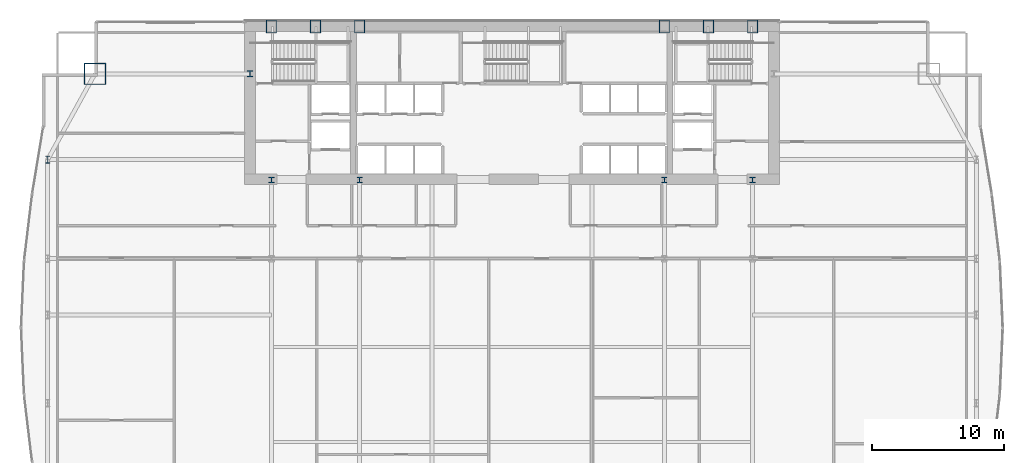
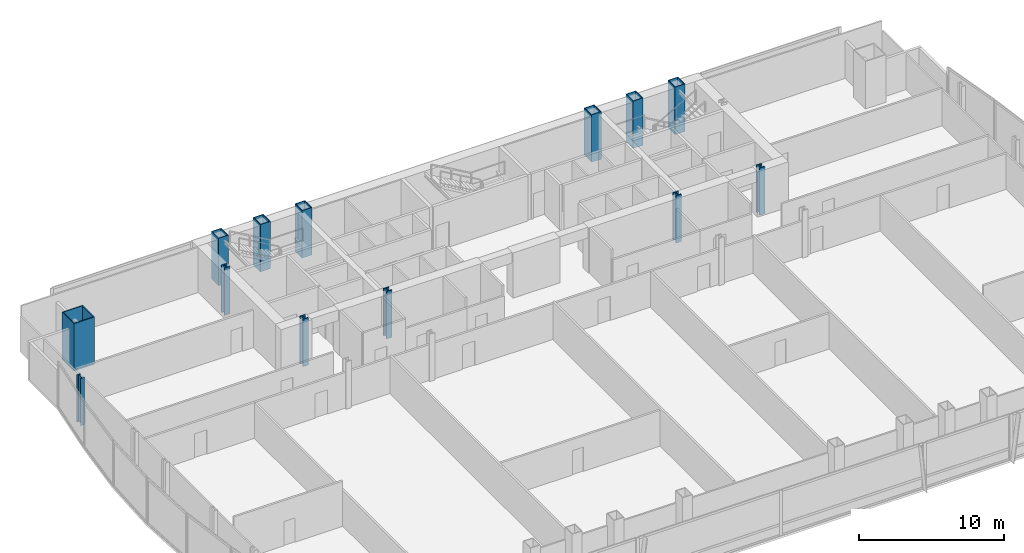
# One storey, part 3 of 32: 13 columns.
"""IFC4 building model written with IfcOpenShell, lengths in metres."""

from ifc_helpers import new_model, si_unit, direction, frame, origin, origin_2d, place, context, subcontext, project, spatial, hollow_rectangle, i_section, extrude, material, material_profile, profile_set, type_object, element, save


model = new_model("IFC4")

# Units and contexts
model_context = context("Model", 3, precision=1e-05, world=origin(), true_north=direction((0.0, 1.0)))
body_context = subcontext(model_context, "Body", "Model", "MODEL_VIEW")
ifc_project = project(units=[si_unit("LENGTHUNIT", "METRE"), si_unit("AREAUNIT", "SQUARE_METRE"), si_unit("VOLUMEUNIT", "CUBIC_METRE"), si_unit("PLANEANGLEUNIT", "RADIAN"), si_unit("MASSUNIT", "GRAM", prefix="KILO")], contexts=[model_context])

# Site, building, storey
site_placement = place(None, origin())
site = spatial("IfcSite", under=ifc_project, at=site_placement, CompositionType="ELEMENT")
building_placement = place(site_placement, origin())
building = spatial("IfcBuilding", under=site, at=building_placement, Name="Khoronbel Lancet Exchange", CompositionType="ELEMENT")
storey_placement = place(building_placement, frame((0.0, 0.0, 65.800048828125)))
storey = spatial("IfcBuildingStorey", under=building, at=storey_placement, Name="L15", CompositionType="ELEMENT", Elevation=65.800048828125)

# Columns
ifc_material_1 = material(Name="Steel S460", Category="steel")
ifc_material_profile_1 = material_profile(ifc_material_1, hollow_rectangle(XDim=0.800048828125, YDim=1.0, WallThickness=0.054931640625, at=origin_2d()), Name="BOX 1000x800x55")
ifc_profile_set_1 = profile_set([ifc_material_profile_1], Name="Steel S460")
column_type_1 = type_object("IfcColumnType", Name="COL-EC1", PredefinedType="COLUMN", material=ifc_profile_set_1)
for number, where, z_axis, x_axis, name in (
    (1, (18.22509765625, 53.280029296875, 0.0), (0.0, 0.0, 1.0), (1.0, 0.0, 0.0), "Structural column NC-W1 L15"),
    (2, (21.5625, 53.280029296875, 0.0), (0.0, 0.0, 1.0), (1.0, 0.0, 0.0), "Structural column NC-WM L15"),
    (3, (24.89990234375, 53.280029296875, 0.0), (0.0, 0.0, 1.0), (1.0, 0.0, 0.0), "Structural column NC-W2 L15"),
    (4, (48.0, 53.280029296875, 0.0), (0.0, 0.0, 1.0), (1.0, 0.0, 0.0), "Structural column NC-E1 L15"),
    (5, (51.33740234375, 53.280029296875, 0.0), (0.0, 0.0, 1.0), (1.0, 0.0, 0.0), "Structural column NC-EM L15"),
    (6, (54.675048828125, 53.280029296875, 0.0), (0.0, 0.0, 1.0), (1.0, 0.0, 0.0), "Structural column NC-E2 L15"),
):
    element("IfcColumn", number, at=place(storey_placement, frame(where, z_axis=z_axis, x_axis=x_axis)), inside=storey, type_object=column_type_1, Name=name, PredefinedType="COLUMN", context=body_context, shape_type="SweptSolid", body=[
        extrude(hollow_rectangle(XDim=0.800048828125, YDim=1.0, WallThickness=0.054931640625, at=origin_2d()), origin(), (0.0, 0.0, 1.0), 4.0),
    ])
ifc_material_profile_2 = material_profile(ifc_material_1, i_section(OverallWidth=0.424072265625, OverallDepth=0.47412109375, WebThickness=0.047607421875, FlangeThickness=0.076904296875, at=origin_2d()), Name="HD 400x634")
ifc_profile_set_2 = profile_set([ifc_material_profile_2], Name="Steel S460")
column_type_2 = type_object("IfcColumnType", Name="COL-IC1", PredefinedType="COLUMN", material=ifc_profile_set_2)
for number, where, z_axis, x_axis, name in (
    (7, (16.60009765625, 49.699951171875, 0.0), (0.0, 0.0, 1.0), (1.0, 0.0, 0.0), "Core-flank plumb transfer column CFW L15"),
    (8, (18.22509765625, 41.64990234375, 0.0), (0.0, 0.0, 1.0), (1.0, 0.0, 0.0), "Core-embedded steel column CTC1 L15"),
    (9, (24.89990234375, 41.64990234375, 0.0), (0.0, 0.0, 1.0), (1.0, 0.0, 0.0), "Core-embedded steel column CTC2 L15"),
    (10, (48.0, 41.64990234375, 0.0), (0.0, 0.0, 1.0), (1.0, 0.0, 0.0), "Core-embedded steel column CTC3 L15"),
    (11, (54.675048828125, 41.64990234375, 0.0), (0.0, 0.0, 1.0), (1.0, 0.0, 0.0), "Core-embedded steel column CTC4 L15"),
):
    element("IfcColumn", number, at=place(storey_placement, frame(where, z_axis=z_axis, x_axis=x_axis)), inside=storey, type_object=column_type_2, Name=name, PredefinedType="COLUMN", context=body_context, shape_type="SweptSolid", body=[
        extrude(i_section(OverallWidth=0.424072265625, OverallDepth=0.47412109375, WebThickness=0.047607421875, FlangeThickness=0.076904296875, at=origin_2d()), origin(), (0.0, 0.0, 1.0), 4.0),
    ])
ifc_material_2 = material(Name="Steel S355", Category="steel")
ifc_material_profile_3 = material_profile(ifc_material_2, i_section(OverallWidth=0.300048828125, OverallDepth=0.550048828125, WebThickness=0.014892578125, FlangeThickness=0.029052734375, at=origin_2d()), Name="HEB 550")
ifc_profile_set_3 = profile_set([ifc_material_profile_3], Name="Steel S355")
column_type_3 = type_object("IfcColumnType", Name="COL-LC1", PredefinedType="COLUMN", material=ifc_profile_set_3)
column_1_placement = place(storey_placement, frame((1.27001953125, 43.199951171875, 0.0), z_axis=(0.0, 0.0, 1.0), x_axis=(1.0, 0.0, 0.0)))
element("IfcColumn", 12, at=column_1_placement, inside=storey, type_object=column_type_3, Name="Structural column WC-4 L15", PredefinedType="COLUMN", context=body_context, shape_type="SweptSolid", body=[
    extrude(i_section(OverallWidth=0.300048828125, OverallDepth=0.550048828125, WebThickness=0.014892578125, FlangeThickness=0.029052734375, at=origin_2d()), origin(), (0.0, 0.0, 1.0), 4.0),
])
ifc_material_profile_4 = material_profile(ifc_material_1, hollow_rectangle(XDim=1.64990234375, YDim=1.64990234375, WallThickness=0.074951171875, at=origin_2d()), Name="BOX 1650x1650x75")
ifc_profile_set_4 = profile_set([ifc_material_profile_4], Name="Steel S460")
column_type_4 = type_object("IfcColumnType", Name="COL-MC2", PredefinedType="COLUMN", material=ifc_profile_set_4)
column_2_placement = place(storey_placement, frame((4.85009765625, 49.699951171875, 0.0), z_axis=(0.0, 0.0, 1.0), x_axis=(1.0, 0.0, 0.0)))
element("IfcColumn", 13, at=column_2_placement, inside=storey, type_object=column_type_4, Name="Structural column MC-NW L15", PredefinedType="COLUMN", context=body_context, shape_type="SweptSolid", body=[
    extrude(hollow_rectangle(XDim=1.64990234375, YDim=1.64990234375, WallThickness=0.074951171875, at=origin_2d()), origin(), (0.0, 0.0, 1.0), 4.0),
])

save(model, "model.ifc")
